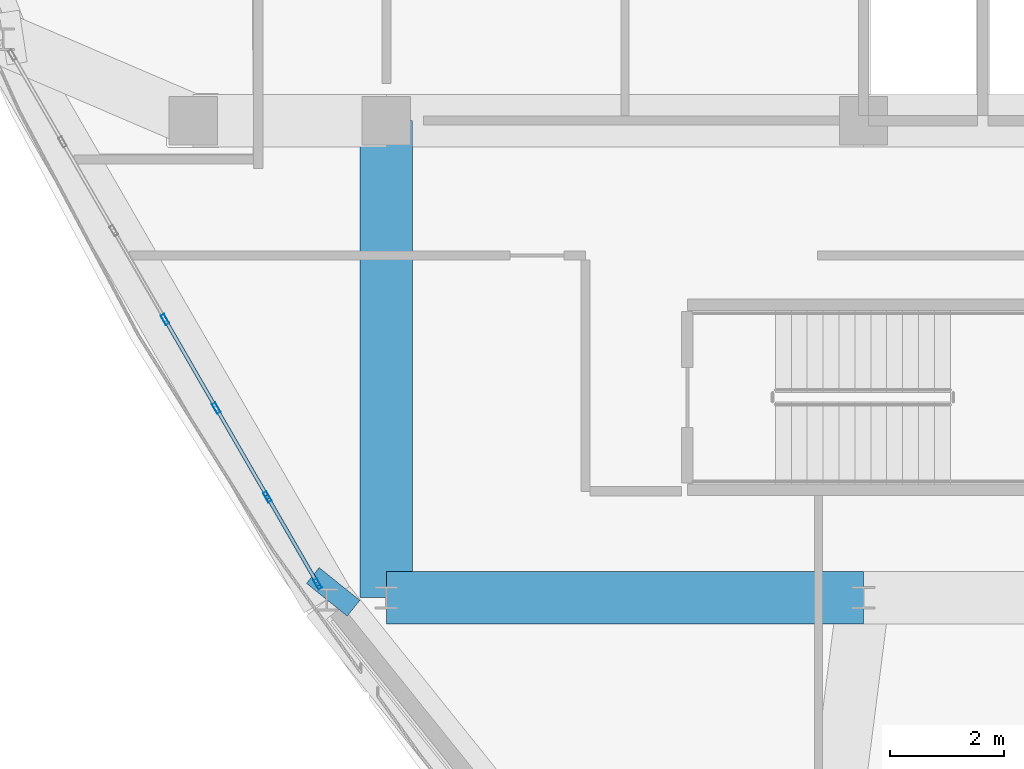
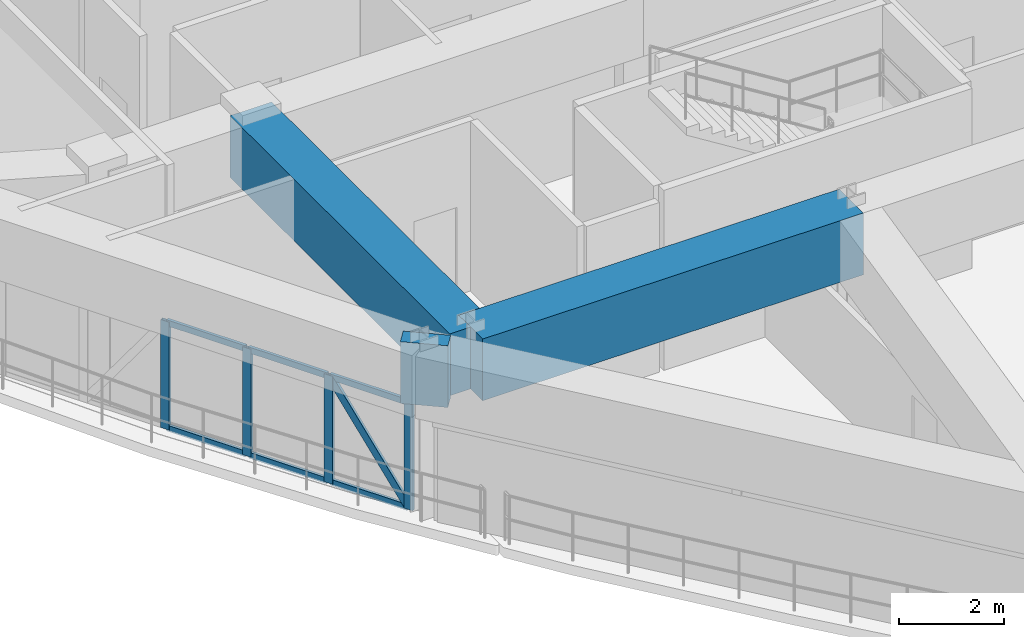
# One storey, part 2 of 18: 11 members, 3 beams, 1 element without a shape of its own.
"""IFC4 building model written with IfcOpenShell, lengths in metres."""

from ifc_helpers import new_model, si_unit, derived_unit, direction, frame, origin, origin_2d, place, context, subcontext, project, spatial, rectangle, hollow_rectangle, extrude, source, transform, mapped, material, layer, layer_set, material_profile, profile_set, type_object, element, aggregate, save


model = new_model("IFC4")

# Units and contexts
model_context = context("Model", 3, precision=1e-05, world=origin(), true_north=direction((0.0, 1.0)))
body_context = subcontext(model_context, "Body", "Model", "MODEL_VIEW")
ifc_project = project(units=[si_unit("LENGTHUNIT", "METRE"), si_unit("AREAUNIT", "SQUARE_METRE"), si_unit("VOLUMEUNIT", "CUBIC_METRE"), si_unit("PLANEANGLEUNIT", "RADIAN"), si_unit("MASSUNIT", "GRAM", prefix="KILO"), derived_unit("THERMALTRANSMITTANCEUNIT", [(si_unit("POWERUNIT", "WATT"), 1), (si_unit("LENGTHUNIT", "METRE"), -2), (si_unit("THERMODYNAMICTEMPERATUREUNIT", "KELVIN"), -1)])], contexts=[model_context])

# Site, building, storey
site_placement = place(None, origin())
site = spatial("IfcSite", under=ifc_project, at=site_placement, CompositionType="ELEMENT")
building_placement = place(site_placement, origin())
building = spatial("IfcBuilding", under=site, at=building_placement, Name="Korsvarv Bourse and Concert Hall", CompositionType="ELEMENT")
storey_placement = place(building_placement, frame((0.0, 0.0, 275.39990234375)))
storey = spatial("IfcBuildingStorey", under=building, at=storey_placement, Name="L72", CompositionType="ELEMENT", Elevation=275.39990234375)

# Beams
ifc_material_1 = material(Name="Concrete C50/60", Category="concrete")
ifc_material_profile_1 = material_profile(ifc_material_1, rectangle(XDim=0.919921875, YDim=1.43994140625, at=origin_2d()), Name="RC-BM 920x1440")
ifc_profile_set_1 = profile_set([ifc_material_profile_1], Name="Concrete C50/60")
beam_type = type_object("IfcBeamType", Name="BM-TR-144", PredefinedType="BEAM", material=ifc_profile_set_1)
shared_shape_1 = source(origin(), body_context, "Body", "SweptSolid", [
    extrude(rectangle(XDim=0.919921875, YDim=1.43994140625, at=origin_2d()), origin(), (0.0, 0.0, 1.0), 8.39990234375),
])
for number, where, z_axis, x_axis, name in (
    (1, (27.60009765625, 24.0, 3.239990234375), (1.0, 0.0, 0.0), (0.0, 1.0, 0.0), "L72 beam B-TR4"),
    (2, (27.60009765625, 24.0, 3.239990234375), (0.0, 1.0, 0.0), (-1.0, 0.0, 0.0), "L72 beam B-TR4"),
):
    element("IfcBeam", number, at=place(storey_placement, frame(where, z_axis=z_axis, x_axis=x_axis)), inside=storey, type_object=beam_type, Name=name, PredefinedType="BEAM", context=body_context, shape_type="MappedRepresentation", body=[
        mapped(shared_shape_1, transform((0.0, 0.0, 0.0), scale=1.0)),
    ])
shared_shape_2 = source(origin(), body_context, "Body", "SweptSolid", [
    extrude(rectangle(XDim=0.919921875, YDim=1.43994140625, at=origin_2d()), origin(), (0.0, 0.0, 1.0), 0.356201171875),
])
beam_placement = place(storey_placement, frame((26.55224609375, 23.964599609375, 3.239990234375), z_axis=(0.625029302082, 0.780601288456, 0.0), x_axis=(-0.780601288456, 0.625029302082, 0.0)))
element("IfcBeam", 3, at=beam_placement, inside=storey, type_object=beam_type, Name="L72 beam B-TR4", PredefinedType="BEAM", context=body_context, shape_type="MappedRepresentation", body=[
    mapped(shared_shape_2, transform((0.0, 0.0, 0.0), scale=1.0)),
])

# Curtain wall, members
ifc_material_2 = material(Name="Anodised aluminium and triple low-E glazing", Category="glass")
ifc_layer = layer(ifc_material_2, 0.18994140625)
ifc_layer_set = layer_set([ifc_layer], Name="Anodised aluminium and triple low-E glazing")
curtain_wall_type = type_object("IfcCurtainWallType", Name="CW-SYS-4", PredefinedType="NOTDEFINED", material=ifc_layer_set)
curtain_wall_placement = place(storey_placement, origin())
curtain_wall = element("IfcCurtainWall", 4, at=curtain_wall_placement, inside=storey, type_object=curtain_wall_type, Name="L72 CW4 curtain wall CW-L72-F07", PredefinedType="NOTDEFINED")
ifc_material_3 = material(Name="Extruded aluminium EN AW-6063 T66", Category="aluminium")
ifc_material_profile_2 = material_profile(ifc_material_3, hollow_rectangle(XDim=0.070068359375, YDim=0.18994140625, WallThickness=0.0048828125, at=origin_2d()), Name="ALU-M 70x190")
ifc_profile_set_2 = profile_set([ifc_material_profile_2], Name="Extruded aluminium EN AW-6063 T66")
member_type_1 = type_object("IfcMemberType", Name="CWM-190", PredefinedType="MULLION", material=ifc_profile_set_2)
shared_shape_3 = source(origin(), body_context, "Body", "SweptSolid", [
    extrude(hollow_rectangle(XDim=0.070068359375, YDim=0.18994140625, WallThickness=0.0048828125, at=origin_2d()), origin(), (0.0, 0.0, 1.0), 2.52001953125),
])
member_1_placement = place(storey_placement, frame((23.70263671875, 28.900146484375, 0.0), z_axis=(0.0, 0.0, 1.0), x_axis=(0.866023090804, 0.500004006179, 0.0)))
member_1 = element("IfcMember", 5, at=member_1_placement, type_object=member_type_1, Name="CW4 mullion 4", PredefinedType="MULLION", context=body_context, shape_type="MappedRepresentation", body=[
    mapped(shared_shape_3, transform((0.0, 0.0, 0.0), scale=1.0)),
])
member_2_placement = place(storey_placement, frame((24.6044921875, 27.338134765625, 0.0), z_axis=(0.0, 0.0, 1.0), x_axis=(0.866023090804, 0.500004006179, 0.0)))
member_2 = element("IfcMember", 6, at=member_2_placement, type_object=member_type_1, Name="CW4 mullion 5", PredefinedType="MULLION", context=body_context, shape_type="MappedRepresentation", body=[
    mapped(shared_shape_3, transform((0.0, 0.0, 0.0), scale=1.0)),
])
member_3_placement = place(storey_placement, frame((25.50634765625, 25.776123046875, 0.0), z_axis=(0.0, 0.0, 1.0), x_axis=(0.866023090804, 0.500004006179, 0.0)))
member_3 = element("IfcMember", 7, at=member_3_placement, type_object=member_type_1, Name="CW4 mullion 6", PredefinedType="MULLION", context=body_context, shape_type="MappedRepresentation", body=[
    mapped(shared_shape_3, transform((0.0, 0.0, 0.0), scale=1.0)),
])
member_4_placement = place(storey_placement, frame((26.390625, 24.244384765625, 0.0), z_axis=(0.0, 0.0, 1.0), x_axis=(0.866023090804, 0.500004006179, 0.0)))
member_4 = element("IfcMember", 8, at=member_4_placement, type_object=member_type_1, Name="CW4 mullion 7", PredefinedType="MULLION", context=body_context, shape_type="MappedRepresentation", body=[
    mapped(shared_shape_3, transform((0.0, 0.0, 0.0), scale=1.0)),
])
ifc_material_profile_3 = material_profile(ifc_material_3, hollow_rectangle(XDim=0.06494140625, YDim=0.139892578125, WallThickness=0.00390625, at=origin_2d()), Name="ALU-T 65x140")
ifc_profile_set_3 = profile_set([ifc_material_profile_3], Name="Extruded aluminium EN AW-6063 T66")
member_type_2 = type_object("IfcMemberType", Name="CWT-140", PredefinedType="USERDEFINED", material=ifc_profile_set_3)
shared_shape_4 = source(origin(), body_context, "Body", "SweptSolid", [
    extrude(hollow_rectangle(XDim=0.06494140625, YDim=0.139892578125, WallThickness=0.00390625, at=origin_2d()), origin(), (0.0, 0.0, 1.0), 1.733642578125),
])
member_5_placement = place(storey_placement, frame((23.72021484375, 28.869873046875, 0.03271484375), z_axis=(0.499925626596, -0.866068339032, 0.0), x_axis=(0.866068339032, 0.499925626596, 0.0)))
member_5 = element("IfcMember", 9, at=member_5_placement, type_object=member_type_2, Name="CW4 transom 4.1", ObjectType="TRANSOM", PredefinedType="USERDEFINED", context=body_context, shape_type="MappedRepresentation", body=[
    mapped(shared_shape_4, transform((0.0, 0.0, 0.0), scale=1.0)),
])
member_6_placement = place(storey_placement, frame((23.72021484375, 28.869873046875, 2.487548828125), z_axis=(0.499925626596, -0.866068339032, 0.0), x_axis=(0.866068339032, 0.499925626596, 0.0)))
member_6 = element("IfcMember", 10, at=member_6_placement, type_object=member_type_2, Name="CW4 transom 4.2", ObjectType="TRANSOM", PredefinedType="USERDEFINED", context=body_context, shape_type="MappedRepresentation", body=[
    mapped(shared_shape_4, transform((0.0, 0.0, 0.0), scale=1.0)),
])
member_7_placement = place(storey_placement, frame((24.6220703125, 27.307861328125, 0.03271484375), z_axis=(0.499925626596, -0.866068339032, 0.0), x_axis=(0.866068339032, 0.499925626596, 0.0)))
member_7 = element("IfcMember", 11, at=member_7_placement, type_object=member_type_2, Name="CW4 transom 5.1", ObjectType="TRANSOM", PredefinedType="USERDEFINED", context=body_context, shape_type="MappedRepresentation", body=[
    mapped(shared_shape_4, transform((0.0, 0.0, 0.0), scale=1.0)),
])
member_8_placement = place(storey_placement, frame((24.6220703125, 27.307861328125, 2.487548828125), z_axis=(0.499925626596, -0.866068339032, 0.0), x_axis=(0.866068339032, 0.499925626596, 0.0)))
member_8 = element("IfcMember", 12, at=member_8_placement, type_object=member_type_2, Name="CW4 transom 5.2", ObjectType="TRANSOM", PredefinedType="USERDEFINED", context=body_context, shape_type="MappedRepresentation", body=[
    mapped(shared_shape_4, transform((0.0, 0.0, 0.0), scale=1.0)),
])
shared_shape_5 = source(origin(), body_context, "Body", "SweptSolid", [
    extrude(hollow_rectangle(XDim=0.06494140625, YDim=0.139892578125, WallThickness=0.00390625, at=origin_2d()), origin(), (0.0, 0.0, 1.0), 1.698486328125),
])
member_9_placement = place(storey_placement, frame((25.52392578125, 25.74560546875, 0.03271484375), z_axis=(0.500050086259, -0.865996484538, 0.0), x_axis=(0.865996484538, 0.500050086259, 0.0)))
member_9 = element("IfcMember", 13, at=member_9_placement, type_object=member_type_2, Name="CW4 transom 6.1", ObjectType="TRANSOM", PredefinedType="USERDEFINED", context=body_context, shape_type="MappedRepresentation", body=[
    mapped(shared_shape_5, transform((0.0, 0.0, 0.0), scale=1.0)),
])
member_10_placement = place(storey_placement, frame((25.52392578125, 25.74560546875, 2.487548828125), z_axis=(0.500050086259, -0.865996484538, 0.0), x_axis=(0.865996484538, 0.500050086259, 0.0)))
member_10 = element("IfcMember", 14, at=member_10_placement, type_object=member_type_2, Name="CW4 transom 6.2", ObjectType="TRANSOM", PredefinedType="USERDEFINED", context=body_context, shape_type="MappedRepresentation", body=[
    mapped(shared_shape_5, transform((0.0, 0.0, 0.0), scale=1.0)),
])
ifc_material_profile_4 = material_profile(ifc_material_3, hollow_rectangle(XDim=0.06494140625, YDim=0.1650390625, WallThickness=0.0048828125, at=origin_2d()), Name="ALU-M 65x165")
ifc_profile_set_4 = profile_set([ifc_material_profile_4], Name="Extruded aluminium EN AW-6063 T66")
member_type_3 = type_object("IfcMemberType", Name="CWM-165", PredefinedType="MULLION", material=ifc_profile_set_4)
shared_shape_6 = source(origin(), body_context, "Body", "SweptSolid", [
    extrude(hollow_rectangle(XDim=0.06494140625, YDim=0.1650390625, WallThickness=0.0048828125, at=origin_2d()), origin(), (0.0, 0.0, 1.0), 2.93212890625),
])
member_11_placement = place(storey_placement, frame((26.373291015625, 24.274658203125, 0.065185546875), z_axis=(-0.289686831994, 0.501685301168, 0.815103305085), x_axis=(-0.865996484538, -0.500050086259, 0.0)))
member_11 = element("IfcMember", 15, at=member_11_placement, type_object=member_type_3, Name="CW4 diagonal mullion 6", PredefinedType="MULLION", context=body_context, shape_type="MappedRepresentation", body=[
    mapped(shared_shape_6, transform((0.0, 0.0, 0.0), scale=1.0)),
])
aggregate(curtain_wall, [member_1, member_2, member_3, member_4, member_5, member_6, member_7, member_8, member_9, member_10, member_11])

save(model, "model.ifc")
